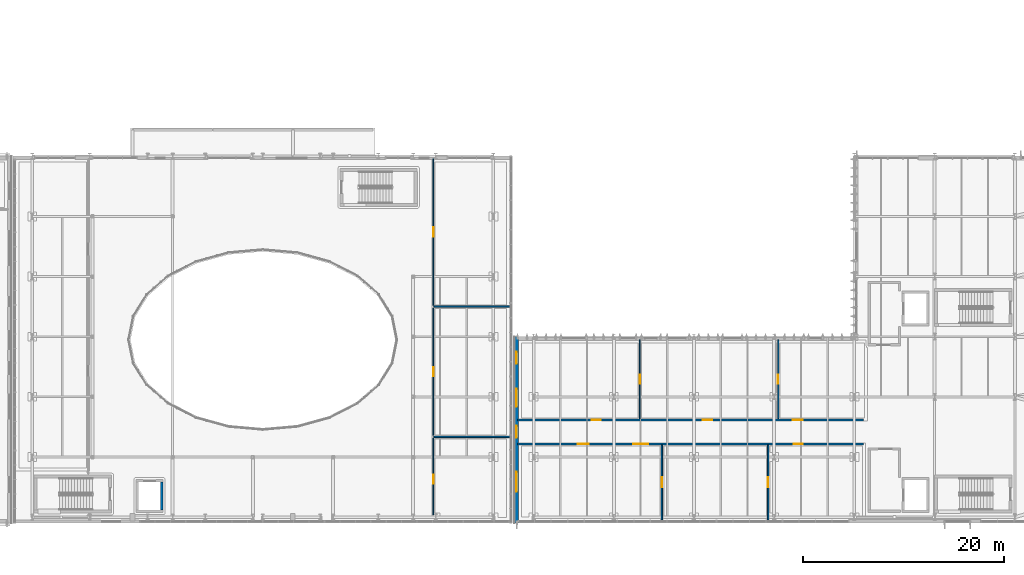
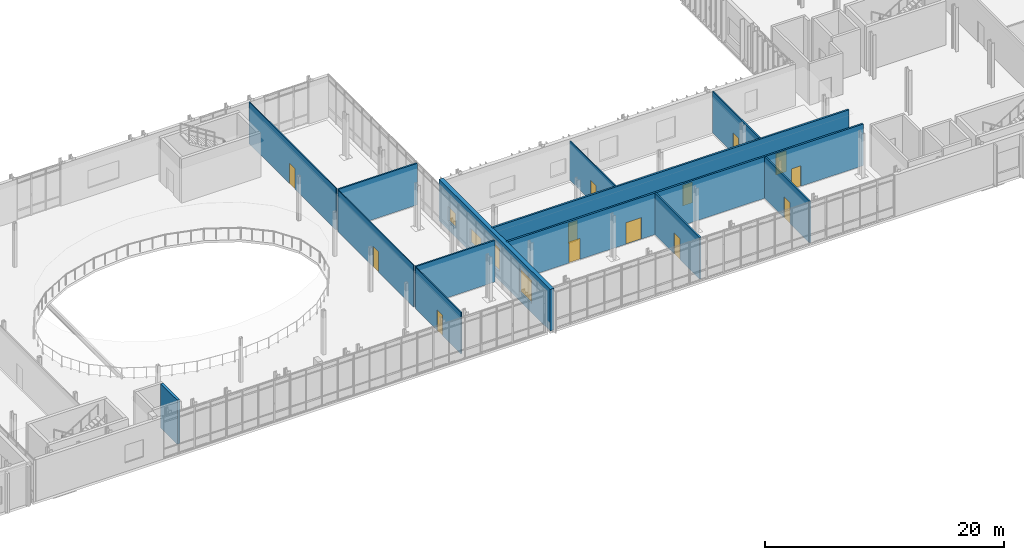
# One storey, part 68 of 100: 13 doors, 13 walls, 4 windows, 17 openings.
"""IFC4 building model written with IfcOpenShell, lengths in metres."""

from ifc_helpers import new_model, si_unit, direction, frame, frame_2d, origin, place, context, subcontext, project, spatial, rectangle, extrude, material, layer, layer_set, type_object, element, fill, save


model = new_model("IFC4")

# Units and contexts
model_context = context("Model", 3, precision=1e-05, world=origin(), true_north=direction((0.0, 1.0)))
body_context = subcontext(model_context, "Body", "Model", "MODEL_VIEW")
ifc_project = project(units=[si_unit("LENGTHUNIT", "METRE"), si_unit("AREAUNIT", "SQUARE_METRE"), si_unit("VOLUMEUNIT", "CUBIC_METRE"), si_unit("PLANEANGLEUNIT", "RADIAN"), si_unit("MASSUNIT", "GRAM", prefix="KILO")], contexts=[model_context])

# Site, building, storey
site_placement = place(None, origin())
site = spatial("IfcSite", under=ifc_project, at=site_placement, CompositionType="ELEMENT")
building_placement = place(site_placement, origin())
building = spatial("IfcBuilding", under=site, at=building_placement, Name="Cymarion Research Institute", CompositionType="ELEMENT")
storey_placement = place(building_placement, frame((0.0, 0.0, 4.800048828125)))
storey = spatial("IfcBuildingStorey", under=building, at=storey_placement, Name="L01", CompositionType="ELEMENT", Elevation=4.800048828125)

# Wall, openings, windows
ifc_material_1 = material(Name="Precast concrete C40/50", Category="concrete")
ifc_layer_1 = layer(ifc_material_1, 0.3798828125)
ifc_layer_set_1 = layer_set([ifc_layer_1], Name="Precast concrete C40/50")
wall_type_1 = type_object("IfcWallType", Name="EXTERIOR WALL EW-PC380 380MM", PredefinedType="SOLIDWALL", material=ifc_layer_set_1)
wall_1_placement = place(storey_placement, frame((104.889892578125, 23.5, 0.0), z_axis=(0.0, 0.0, 1.0), x_axis=(0.0, -1.0, 0.0)))
wall_1 = element("IfcWall", 1, at=wall_1_placement, inside=storey, type_object=wall_type_1, Name="L01 V1 exterior wall EW-PC380 #94", PredefinedType="SOLIDWALL", context=body_context, shape_type="SweptSolid", body=[
    extrude(rectangle(XDim=18.60009765625, YDim=0.3798828125, at=frame_2d((9.300048828125, 0.0))), origin(), (0.0, 0.0, 1.0), 4.25),
])
opening_1_placement = place(wall_1_placement, frame((1.510009765625, 0.0, 0.89990234375)))
opening_1 = element("IfcOpeningElement", 2, at=opening_1_placement, cuts=wall_1, Name="Opening W15", PredefinedType="OPENING", context=body_context, shape_type="SweptSolid", body=[
    extrude(rectangle(XDim=1.199951171875, YDim=1.5, at=frame_2d((0.60009765625, 0.75))), frame((0.0, 0.199951171875, 0.0), z_axis=(0.0, -1.0, 0.0), x_axis=(1.0, 0.0, 0.0)), (0.0, 0.0, 1.0), 0.39990234375),
])
opening_2_placement = place(wall_1_placement, frame((5.18994140625, 0.0, 0.89990234375)))
opening_2 = element("IfcOpeningElement", 3, at=opening_2_placement, cuts=wall_1, Name="Opening W17", PredefinedType="OPENING", context=body_context, shape_type="SweptSolid", body=[
    extrude(rectangle(XDim=1.800048828125, YDim=1.5, at=frame_2d((0.89990234375, 0.75))), frame((0.0, 0.199951171875, 0.0), z_axis=(0.0, -1.0, 0.0), x_axis=(1.0, 0.0, 0.0)), (0.0, 0.0, 1.0), 0.39990234375),
])
opening_3_placement = place(wall_1_placement, frame((8.89990234375, 0.0, 0.89990234375)))
opening_3 = element("IfcOpeningElement", 4, at=opening_3_placement, cuts=wall_1, Name="Opening W19", PredefinedType="OPENING", context=body_context, shape_type="SweptSolid", body=[
    extrude(rectangle(XDim=1.199951171875, YDim=2.39990234375, at=frame_2d((0.60009765625, 1.199951171875))), frame((0.0, 0.199951171875, 0.0), z_axis=(0.0, -1.0, 0.0), x_axis=(1.0, 0.0, 0.0)), (0.0, 0.0, 1.0), 0.39990234375),
])
opening_4_placement = place(wall_1_placement, frame((13.47998046875, 0.0, 0.89990234375)))
opening_4 = element("IfcOpeningElement", 5, at=opening_4_placement, cuts=wall_1, Name="Opening W21", PredefinedType="OPENING", context=body_context, shape_type="SweptSolid", body=[
    extrude(rectangle(XDim=2.0, YDim=2.39990234375, at=frame_2d((1.0, 1.199951171875))), frame((0.0, 0.199951171875, 0.0), z_axis=(0.0, -1.0, 0.0), x_axis=(1.0, 0.0, 0.0)), (0.0, 0.0, 1.0), 0.39990234375),
])
ifc_material_2 = material(Name="Thermally broken aluminium window with Low-E glazing", Category="aluminium")
window_type_1 = type_object("IfcWindowType", Name="THERMALLY BROKEN ALUMINIUM WINDOW W15 1200X1500", PartitioningType="SINGLE_PANEL", PredefinedType="WINDOW", material=ifc_material_2)
window_1_placement = place(opening_1_placement, origin())
window_1 = element("IfcWindow", 6, at=window_1_placement, inside=storey, type_object=window_type_1, Name="L01 V1 facade window W15 #167", OverallHeight=1.5, OverallWidth=1.199951171875, PartitioningType="SINGLE_PANEL", PredefinedType="WINDOW", context=body_context, shape_type="SweptSolid", body=[
    extrude(rectangle(XDim=1.199951171875, YDim=1.5, at=frame_2d((0.60009765625, 0.75))), frame((0.0, 0.030029296875, 0.0), z_axis=(0.0, -1.0, 0.0), x_axis=(1.0, 0.0, 0.0)), (0.0, 0.0, 1.0), 0.06005859375),
])
fill(opening_1, window_1)
window_type_2 = type_object("IfcWindowType", Name="THERMALLY BROKEN ALUMINIUM WINDOW W17 1800X1500", PartitioningType="DOUBLE_PANEL_HORIZONTAL", PredefinedType="WINDOW", material=ifc_material_2)
window_2_placement = place(opening_2_placement, origin())
window_2 = element("IfcWindow", 7, at=window_2_placement, inside=storey, type_object=window_type_2, Name="L01 V1 facade window W17 #168", OverallHeight=1.5, OverallWidth=1.800048828125, PartitioningType="SINGLE_PANEL", PredefinedType="WINDOW", context=body_context, shape_type="SweptSolid", body=[
    extrude(rectangle(XDim=1.800048828125, YDim=1.5, at=frame_2d((0.89990234375, 0.75))), frame((0.0, 0.030029296875, 0.0), z_axis=(0.0, -1.0, 0.0), x_axis=(1.0, 0.0, 0.0)), (0.0, 0.0, 1.0), 0.06005859375),
])
fill(opening_2, window_2)
window_type_3 = type_object("IfcWindowType", Name="THERMALLY BROKEN ALUMINIUM WINDOW W19 1200X2400", PartitioningType="SINGLE_PANEL", PredefinedType="WINDOW", material=ifc_material_2)
window_3_placement = place(opening_3_placement, origin())
window_3 = element("IfcWindow", 8, at=window_3_placement, inside=storey, type_object=window_type_3, Name="L01 V1 facade window W19 #169", OverallHeight=2.39990234375, OverallWidth=1.199951171875, PartitioningType="SINGLE_PANEL", PredefinedType="WINDOW", context=body_context, shape_type="SweptSolid", body=[
    extrude(rectangle(XDim=1.199951171875, YDim=2.39990234375, at=frame_2d((0.60009765625, 1.199951171875))), frame((0.0, 0.030029296875, 0.0), z_axis=(0.0, -1.0, 0.0), x_axis=(1.0, 0.0, 0.0)), (0.0, 0.0, 1.0), 0.06005859375),
])
fill(opening_3, window_3)
window_type_4 = type_object("IfcWindowType", Name="THERMALLY BROKEN ALUMINIUM WINDOW W21 2000X2400", PartitioningType="DOUBLE_PANEL_VERTICAL", PredefinedType="WINDOW", material=ifc_material_2)
window_4_placement = place(opening_4_placement, origin())
window_4 = element("IfcWindow", 9, at=window_4_placement, inside=storey, type_object=window_type_4, Name="L01 V1 facade window W21 #170", OverallHeight=2.39990234375, OverallWidth=2.0, PartitioningType="SINGLE_PANEL", PredefinedType="WINDOW", context=body_context, shape_type="SweptSolid", body=[
    extrude(rectangle(XDim=2.0, YDim=2.39990234375, at=frame_2d((1.0, 1.199951171875))), frame((0.0, 0.030029296875, 0.0), z_axis=(0.0, -1.0, 0.0), x_axis=(1.0, 0.0, 0.0)), (0.0, 0.0, 1.0), 0.06005859375),
])
fill(opening_4, window_4)

# Wall, opening, door
ifc_material_3 = material(Name="Gypsum acoustic double-stud partition", Category="gypsum")
ifc_layer_2 = layer(ifc_material_3, 0.14990234375)
ifc_layer_set_2 = layer_set([ifc_layer_2], Name="Gypsum acoustic double-stud partition")
wall_type_2 = type_object("IfcWallType", Name="INTERIOR PARTITION IW-AC150 150MM", PredefinedType="PARTITIONING", material=ifc_layer_set_2)
wall_2_placement = place(storey_placement, frame((119.39990234375, 5.205078125, 0.0), z_axis=(0.0, 0.0, 1.0), x_axis=(0.0, 1.0, 0.0)))
wall_2 = element("IfcWall", 10, at=wall_2_placement, inside=storey, type_object=wall_type_2, Name="L01 V1 interior partition IW-AC150 #112", PredefinedType="PARTITIONING", context=body_context, shape_type="SweptSolid", body=[
    extrude(rectangle(XDim=7.514892578125, YDim=0.14990234375, at=frame_2d((3.75732421875, 0.0))), origin(), (0.0, 0.0, 1.0), 4.25),
])
opening_5_placement = place(wall_2_placement, frame((3.258056640625, 0.0, 0.0)))
opening_5 = element("IfcOpeningElement", 11, at=opening_5_placement, cuts=wall_2, Name="Opening D-L01-077", PredefinedType="OPENING", context=body_context, shape_type="SweptSolid", body=[
    extrude(rectangle(XDim=1.0, YDim=2.14990234375, at=frame_2d((0.5, 1.074951171875))), frame((0.0, 0.0849609375, 0.0), z_axis=(0.0, -1.0, 0.0), x_axis=(1.0, 0.0, 0.0)), (0.0, 0.0, 1.0), 0.169921875),
])
ifc_material_4 = material(Name="Flush acoustic timber/steel door assembly", Category="steel")
door_type_1 = type_object("IfcDoorType", Name="LABORATORY SINGLE LEAF DOOR DT-LB100 1000X2150", OperationType="NOTDEFINED", PredefinedType="DOOR", material=ifc_material_4)
door_1_placement = place(opening_5_placement, origin())
door_1 = element("IfcDoor", 12, at=door_1_placement, inside=storey, type_object=door_type_1, Name="L01 Inter-lab door D-L01-077", OperationType="SINGLE_SWING_RIGHT", OverallHeight=2.14990234375, OverallWidth=1.0, PredefinedType="DOOR", context=body_context, shape_type="SweptSolid", body=[
    extrude(rectangle(XDim=1.0, YDim=2.14990234375, at=frame_2d((0.5, 1.074951171875))), frame((0.0, 0.02490234375, 0.0), z_axis=(0.0, -1.0, 0.0), x_axis=(1.0, 0.0, 0.0)), (0.0, 0.0, 1.0), 0.050048828125),
])
fill(opening_5, door_1)

wall_3_placement = place(storey_placement, frame((130.0, 5.205078125, 0.0), z_axis=(0.0, 0.0, 1.0), x_axis=(0.0, 1.0, 0.0)))
wall_3 = element("IfcWall", 13, at=wall_3_placement, inside=storey, type_object=wall_type_2, Name="L01 V1 interior partition IW-AC150 #113", PredefinedType="PARTITIONING", context=body_context, shape_type="SweptSolid", body=[
    extrude(rectangle(XDim=7.514892578125, YDim=0.14990234375, at=frame_2d((3.75732421875, 0.0))), origin(), (0.0, 0.0, 1.0), 4.25),
])
opening_6_placement = place(wall_3_placement, frame((3.258056640625, 0.0, 0.0)))
opening_6 = element("IfcOpeningElement", 14, at=opening_6_placement, cuts=wall_3, Name="Opening D-L01-078", PredefinedType="OPENING", context=body_context, shape_type="SweptSolid", body=[
    extrude(rectangle(XDim=1.0, YDim=2.14990234375, at=frame_2d((0.5, 1.074951171875))), frame((0.0, 0.0849609375, 0.0), z_axis=(0.0, -1.0, 0.0), x_axis=(1.0, 0.0, 0.0)), (0.0, 0.0, 1.0), 0.169921875),
])
door_2_placement = place(opening_6_placement, origin())
door_2 = element("IfcDoor", 15, at=door_2_placement, inside=storey, type_object=door_type_1, Name="L01 Inter-lab door D-L01-078", OperationType="SINGLE_SWING_LEFT", OverallHeight=2.14990234375, OverallWidth=1.0, PredefinedType="DOOR", context=body_context, shape_type="SweptSolid", body=[
    extrude(rectangle(XDim=1.0, YDim=2.14990234375, at=frame_2d((0.5, 1.074951171875))), frame((0.0, 0.02490234375, 0.0), z_axis=(0.0, -1.0, 0.0), x_axis=(1.0, 0.0, 0.0)), (0.0, 0.0, 1.0), 0.050048828125),
])
fill(opening_6, door_2)

# Walls
for number, where, z_axis, x_axis, name in (
    (16, (96.64990234375, 13.5, 0.0), (0.0, 0.0, 1.0), (1.0, 0.0, 0.0), "L01 V2 interior partition IW-AC150 #121"),
    (17, (96.64990234375, 26.5, 0.0), (0.0, 0.0, 1.0), (1.0, 0.0, 0.0), "L01 V2 interior partition IW-AC150 #122"),
):
    element("IfcWall", number, at=place(storey_placement, frame(where, z_axis=z_axis, x_axis=x_axis)), inside=storey, type_object=wall_type_2, Name=name, PredefinedType="PARTITIONING", context=body_context, shape_type="SweptSolid", body=[
        extrude(rectangle(XDim=7.630126953125, YDim=0.14990234375, at=frame_2d((3.81494140625, 0.0))), origin(), (0.0, 0.0, 1.0), 4.25),
    ])

# Wall, opening, door
ifc_material_5 = material(Name="Framed acoustic glass laboratory screen", Category="glass")
ifc_layer_3 = layer(ifc_material_5, 0.10009765625)
ifc_layer_set_3 = layer_set([ifc_layer_3], Name="Framed acoustic glass laboratory screen")
wall_type_3 = type_object("IfcWallType", Name="INTERIOR PARTITION IW-GL100 100MM", PredefinedType="PARTITIONING", material=ifc_layer_set_3)
wall_4_placement = place(storey_placement, frame((117.199951171875, 15.320068359375, 0.0), z_axis=(0.0, 0.0, 1.0), x_axis=(0.0, 1.0, 0.0)))
wall_4 = element("IfcWall", 18, at=wall_4_placement, inside=storey, type_object=wall_type_3, Name="L01 V1 interior partition IW-GL100 #114", PredefinedType="PARTITIONING", context=body_context, shape_type="SweptSolid", body=[
    extrude(rectangle(XDim=7.875, YDim=0.10009765625, at=frame_2d((3.9375, 0.0))), origin(), (0.0, 0.0, 1.0), 4.010009765625),
])
opening_7_placement = place(wall_4_placement, frame((3.487060546875, 0.0, 0.0)))
opening_7 = element("IfcOpeningElement", 19, at=opening_7_placement, cuts=wall_4, Name="Opening D-L01-079", PredefinedType="OPENING", context=body_context, shape_type="SweptSolid", body=[
    extrude(rectangle(XDim=0.89990234375, YDim=2.10009765625, at=frame_2d((0.449951171875, 1.050048828125))), frame((0.0, 0.06005859375, 0.0), z_axis=(0.0, -1.0, 0.0), x_axis=(1.0, 0.0, 0.0)), (0.0, 0.0, 1.0), 0.1201171875),
])
door_type_2 = type_object("IfcDoorType", Name="RESEARCH WRITE-UP OFFICE DOOR DT-OF090 900X2100", OperationType="NOTDEFINED", PredefinedType="DOOR", material=ifc_material_4)
door_3_placement = place(opening_7_placement, origin())
door_3 = element("IfcDoor", 20, at=door_3_placement, inside=storey, type_object=door_type_2, Name="L01 Write-up door D-L01-079", OperationType="SINGLE_SWING_RIGHT", OverallHeight=2.10009765625, OverallWidth=0.89990234375, PredefinedType="DOOR", context=body_context, shape_type="SweptSolid", body=[
    extrude(rectangle(XDim=0.89990234375, YDim=2.10009765625, at=frame_2d((0.449951171875, 1.050048828125))), frame((0.0, 0.02490234375, 0.0), z_axis=(0.0, -1.0, 0.0), x_axis=(1.0, 0.0, 0.0)), (0.0, 0.0, 1.0), 0.050048828125),
])
fill(opening_7, door_3)

wall_5_placement = place(storey_placement, frame((96.60009765625, 5.75, 0.0), z_axis=(0.0, 0.0, 1.0), x_axis=(0.0, 1.0, 0.0)))
wall_5 = element("IfcWall", 21, at=wall_5_placement, inside=storey, type_object=wall_type_3, Name="L01 V2 interior partition IW-GL100 #123", PredefinedType="PARTITIONING", context=body_context, shape_type="SweptSolid", body=[
    extrude(rectangle(XDim=7.60009765625, YDim=0.10009765625, at=frame_2d((3.800048828125, 0.0))), origin(), (0.0, 0.0, 1.0), 4.25),
])
opening_8_placement = place(wall_5_placement, frame((3.072021484375, 0.0, 0.0)))
opening_8 = element("IfcOpeningElement", 22, at=opening_8_placement, cuts=wall_5, Name="Opening D-L01-086", PredefinedType="OPENING", context=body_context, shape_type="SweptSolid", body=[
    extrude(rectangle(XDim=0.89990234375, YDim=2.10009765625, at=frame_2d((0.449951171875, 1.050048828125))), frame((0.0, 0.06005859375, 0.0), z_axis=(0.0, -1.0, 0.0), x_axis=(1.0, 0.0, 0.0)), (0.0, 0.0, 1.0), 0.1201171875),
])
door_type_3 = type_object("IfcDoorType", Name="ACCESSIBLE RESTROOM DOOR DT-WC090 900X2100", OperationType="NOTDEFINED", PredefinedType="DOOR", material=ifc_material_4)
door_4_placement = place(opening_8_placement, origin())
door_4 = element("IfcDoor", 23, at=door_4_placement, inside=storey, type_object=door_type_3, Name="L01 Public Restroom door D-L01-086", OperationType="SINGLE_SWING_LEFT", OverallHeight=2.10009765625, OverallWidth=0.89990234375, PredefinedType="DOOR", context=body_context, shape_type="SweptSolid", body=[
    extrude(rectangle(XDim=0.89990234375, YDim=2.10009765625, at=frame_2d((0.449951171875, 1.050048828125))), frame((0.0, 0.02490234375, 0.0), z_axis=(0.0, -1.0, 0.0), x_axis=(1.0, 0.0, 0.0)), (0.0, 0.0, 1.0), 0.050048828125),
])
fill(opening_8, door_4)

wall_6_placement = place(storey_placement, frame((96.60009765625, 13.64990234375, 0.0), z_axis=(0.0, 0.0, 1.0), x_axis=(0.0, 1.0, 0.0)))
wall_6 = element("IfcWall", 24, at=wall_6_placement, inside=storey, type_object=wall_type_3, Name="L01 V2 interior partition IW-GL100 #124", PredefinedType="PARTITIONING", context=body_context, shape_type="SweptSolid", body=[
    extrude(rectangle(XDim=12.7001953125, YDim=0.10009765625, at=frame_2d((6.35009765625, 0.0))), origin(), (0.0, 0.0, 1.0), 4.25),
])
opening_9_placement = place(wall_6_placement, frame((5.89990234375, 0.0, 0.0)))
opening_9 = element("IfcOpeningElement", 25, at=opening_9_placement, cuts=wall_6, Name="Opening D-L01-087", PredefinedType="OPENING", context=body_context, shape_type="SweptSolid", body=[
    extrude(rectangle(XDim=0.89990234375, YDim=2.10009765625, at=frame_2d((0.449951171875, 1.050048828125))), frame((0.0, 0.06005859375, 0.0), z_axis=(0.0, -1.0, 0.0), x_axis=(1.0, 0.0, 0.0)), (0.0, 0.0, 1.0), 0.1201171875),
])
door_5_placement = place(opening_9_placement, origin())
door_5 = element("IfcDoor", 26, at=door_5_placement, inside=storey, type_object=door_type_2, Name="L01 Seminar door D-L01-087", OperationType="SINGLE_SWING_RIGHT", OverallHeight=2.10009765625, OverallWidth=0.89990234375, PredefinedType="DOOR", context=body_context, shape_type="SweptSolid", body=[
    extrude(rectangle(XDim=0.89990234375, YDim=2.10009765625, at=frame_2d((0.449951171875, 1.050048828125))), frame((0.0, 0.02490234375, 0.0), z_axis=(0.0, -1.0, 0.0), x_axis=(1.0, 0.0, 0.0)), (0.0, 0.0, 1.0), 0.050048828125),
])
fill(opening_9, door_5)

wall_7_placement = place(storey_placement, frame((96.60009765625, 26.64990234375, 0.0), z_axis=(0.0, 0.0, 1.0), x_axis=(0.0, 1.0, 0.0)))
wall_7 = element("IfcWall", 27, at=wall_7_placement, inside=storey, type_object=wall_type_3, Name="L01 V2 interior partition IW-GL100 #125", PredefinedType="PARTITIONING", context=body_context, shape_type="SweptSolid", body=[
    extrude(rectangle(XDim=14.60009765625, YDim=0.10009765625, at=frame_2d((7.300048828125, 0.0))), origin(), (0.0, 0.0, 1.0), 4.25),
])
opening_10_placement = place(wall_7_placement, frame((6.839111328125, 0.0, 0.0)))
opening_10 = element("IfcOpeningElement", 28, at=opening_10_placement, cuts=wall_7, Name="Opening D-L01-088", PredefinedType="OPENING", context=body_context, shape_type="SweptSolid", body=[
    extrude(rectangle(XDim=0.949951171875, YDim=2.10009765625, at=frame_2d((0.47509765625, 1.050048828125))), frame((0.0, 0.06005859375, 0.0), z_axis=(0.0, -1.0, 0.0), x_axis=(1.0, 0.0, 0.0)), (0.0, 0.0, 1.0), 0.1201171875),
])
door_type_4 = type_object("IfcDoorType", Name="FACULTY STUDY DOOR DT-OF095 950X2100", OperationType="NOTDEFINED", PredefinedType="DOOR", material=ifc_material_4)
door_6_placement = place(opening_10_placement, origin())
door_6 = element("IfcDoor", 29, at=door_6_placement, inside=storey, type_object=door_type_4, Name="L01 Reading door D-L01-088", OperationType="SINGLE_SWING_LEFT", OverallHeight=2.10009765625, OverallWidth=0.949951171875, PredefinedType="DOOR", context=body_context, shape_type="SweptSolid", body=[
    extrude(rectangle(XDim=0.949951171875, YDim=2.10009765625, at=frame_2d((0.47509765625, 1.050048828125))), frame((0.0, 0.02490234375, 0.0), z_axis=(0.0, -1.0, 0.0), x_axis=(1.0, 0.0, 0.0)), (0.0, 0.0, 1.0), 0.050048828125),
])
fill(opening_10, door_6)

# Wall, openings, doors
ifc_material_6 = material(Name="Moisture-resistant laboratory partition", Category="gypsum")
ifc_layer_4 = layer(ifc_material_6, 0.179931640625)
ifc_layer_set_4 = layer_set([ifc_layer_4], Name="Moisture-resistant laboratory partition")
wall_type_4 = type_object("IfcWallType", Name="INTERIOR PARTITION IW-LB180 180MM", PredefinedType="PARTITIONING", material=ifc_layer_set_4)
wall_8_placement = place(storey_placement, frame((105.0048828125, 12.800048828125, 0.0), z_axis=(0.0, 0.0, 1.0), x_axis=(1.0, 0.0, 0.0)))
wall_8 = element("IfcWall", 30, at=wall_8_placement, inside=storey, type_object=wall_type_4, Name="L01 V1 interior partition IW-LB180 #110", PredefinedType="PARTITIONING", context=body_context, shape_type="SweptSolid", body=[
    extrude(rectangle(XDim=34.4951171875, YDim=0.179931640625, at=frame_2d((17.24755859375, 0.0))), origin(), (0.0, 0.0, 1.0), 4.25),
])
opening_11_placement = place(wall_8_placement, frame((6.010986328125, 0.0, 0.0)))
opening_11 = element("IfcOpeningElement", 31, at=opening_11_placement, cuts=wall_8, Name="Opening D-L01-071", PredefinedType="OPENING", context=body_context, shape_type="SweptSolid", body=[
    extrude(rectangle(XDim=1.10009765625, YDim=2.14990234375, at=frame_2d((0.550048828125, 1.074951171875))), frame((0.0, 0.099853515625, 0.0), z_axis=(0.0, -1.0, 0.0), x_axis=(1.0, 0.0, 0.0)), (0.0, 0.0, 1.0), 0.199951171875),
])
opening_12_placement = place(wall_8_placement, frame((11.548095703125, 0.0, 0.0)))
opening_12 = element("IfcOpeningElement", 32, at=opening_12_placement, cuts=wall_8, Name="Opening D-L01-072", PredefinedType="OPENING", context=body_context, shape_type="SweptSolid", body=[
    extrude(rectangle(XDim=1.5, YDim=2.199951171875, at=frame_2d((0.75, 1.10009765625))), frame((0.0, 0.099853515625, 0.0), z_axis=(0.0, -1.0, 0.0), x_axis=(1.0, 0.0, 0.0)), (0.0, 0.0, 1.0), 0.199951171875),
])
opening_13_placement = place(wall_8_placement, frame((27.548095703125, 0.0, 0.0)))
opening_13 = element("IfcOpeningElement", 33, at=opening_13_placement, cuts=wall_8, Name="Opening D-L01-073", PredefinedType="OPENING", context=body_context, shape_type="SweptSolid", body=[
    extrude(rectangle(XDim=0.89990234375, YDim=2.10009765625, at=frame_2d((0.449951171875, 1.050048828125))), frame((0.0, 0.099853515625, 0.0), z_axis=(0.0, -1.0, 0.0), x_axis=(1.0, 0.0, 0.0)), (0.0, 0.0, 1.0), 0.199951171875),
])
door_7_placement = place(opening_13_placement, origin())
door_7 = element("IfcDoor", 34, at=door_7_placement, inside=storey, type_object=door_type_3, Name="L01 Restroom door D-L01-073", OperationType="SINGLE_SWING_RIGHT", OverallHeight=2.10009765625, OverallWidth=0.89990234375, PredefinedType="DOOR", context=body_context, shape_type="SweptSolid", body=[
    extrude(rectangle(XDim=0.89990234375, YDim=2.10009765625, at=frame_2d((0.449951171875, 1.050048828125))), frame((0.0, 0.02490234375, 0.0), z_axis=(0.0, -1.0, 0.0), x_axis=(1.0, 0.0, 0.0)), (0.0, 0.0, 1.0), 0.050048828125),
])
fill(opening_13, door_7)
door_type_5 = type_object("IfcDoorType", Name="LABORATORY EQUIPMENT DOUBLE DOOR DT-LB150 1500X2200", OperationType="DOUBLE_DOOR_SINGLE_SWING", PredefinedType="DOOR", material=ifc_material_4)
door_8_placement = place(opening_12_placement, origin())
door_8 = element("IfcDoor", 35, at=door_8_placement, inside=storey, type_object=door_type_5, Name="L01 Lab S2 door D-L01-072", OperationType="DOUBLE_DOOR_SINGLE_SWING", OverallHeight=2.199951171875, OverallWidth=1.5, PredefinedType="DOOR", context=body_context, shape_type="SweptSolid", body=[
    extrude(rectangle(XDim=1.5, YDim=2.199951171875, at=frame_2d((0.75, 1.10009765625))), frame((0.0, 0.02490234375, 0.0), z_axis=(0.0, -1.0, 0.0), x_axis=(1.0, 0.0, 0.0)), (0.0, 0.0, 1.0), 0.050048828125),
])
fill(opening_12, door_8)
door_type_6 = type_object("IfcDoorType", Name="LABORATORY WIDE SINGLE DOOR DT-LB110 1100X2150", OperationType="NOTDEFINED", PredefinedType="DOOR", material=ifc_material_4)
door_9_placement = place(opening_11_placement, origin())
door_9 = element("IfcDoor", 36, at=door_9_placement, inside=storey, type_object=door_type_6, Name="L01 Lab S1 door D-L01-071", OperationType="SINGLE_SWING_RIGHT", OverallHeight=2.14990234375, OverallWidth=1.10009765625, PredefinedType="DOOR", context=body_context, shape_type="SweptSolid", body=[
    extrude(rectangle(XDim=1.10009765625, YDim=2.14990234375, at=frame_2d((0.550048828125, 1.074951171875))), frame((0.0, 0.02490234375, 0.0), z_axis=(0.0, -1.0, 0.0), x_axis=(1.0, 0.0, 0.0)), (0.0, 0.0, 1.0), 0.050048828125),
])
fill(opening_11, door_9)

wall_9_placement = place(storey_placement, frame((105.0048828125, 15.199951171875, 0.0), z_axis=(0.0, 0.0, 1.0), x_axis=(1.0, 0.0, 0.0)))
wall_9 = element("IfcWall", 37, at=wall_9_placement, inside=storey, type_object=wall_type_4, Name="L01 V1 interior partition IW-LB180 #111", PredefinedType="PARTITIONING", context=body_context, shape_type="SweptSolid", body=[
    extrude(rectangle(XDim=34.4951171875, YDim=0.179931640625, at=frame_2d((17.24755859375, 0.0))), origin(), (0.0, 0.0, 1.0), 4.25),
])
opening_14_placement = place(wall_9_placement, frame((7.39111328125, 0.0, 0.0)))
opening_14 = element("IfcOpeningElement", 38, at=opening_14_placement, cuts=wall_9, Name="Opening D-L01-074", PredefinedType="OPENING", context=body_context, shape_type="SweptSolid", body=[
    extrude(rectangle(XDim=0.89990234375, YDim=2.10009765625, at=frame_2d((0.449951171875, 1.050048828125))), frame((0.0, 0.099853515625, 0.0), z_axis=(0.0, -1.0, 0.0), x_axis=(1.0, 0.0, 0.0)), (0.0, 0.0, 1.0), 0.199951171875),
])
opening_15_placement = place(wall_9_placement, frame((18.449951171875, 0.0, 0.0)))
opening_15 = element("IfcOpeningElement", 39, at=opening_15_placement, cuts=wall_9, Name="Opening D-L01-075", PredefinedType="OPENING", context=body_context, shape_type="SweptSolid", body=[
    extrude(rectangle(XDim=0.949951171875, YDim=2.10009765625, at=frame_2d((0.47509765625, 1.050048828125))), frame((0.0, 0.099853515625, 0.0), z_axis=(0.0, -1.0, 0.0), x_axis=(1.0, 0.0, 0.0)), (0.0, 0.0, 1.0), 0.199951171875),
])
opening_16_placement = place(wall_9_placement, frame((27.466064453125, 0.0, 0.0)))
opening_16 = element("IfcOpeningElement", 40, at=opening_16_placement, cuts=wall_9, Name="Opening D-L01-076", PredefinedType="OPENING", context=body_context, shape_type="SweptSolid", body=[
    extrude(rectangle(XDim=1.0, YDim=2.14990234375, at=frame_2d((0.5, 1.074951171875))), frame((0.0, 0.099853515625, 0.0), z_axis=(0.0, -1.0, 0.0), x_axis=(1.0, 0.0, 0.0)), (0.0, 0.0, 1.0), 0.199951171875),
])
door_10_placement = place(opening_15_placement, origin())
door_10 = element("IfcDoor", 41, at=door_10_placement, inside=storey, type_object=door_type_4, Name="L01 Write-up 2 door D-L01-075", OperationType="SINGLE_SWING_RIGHT", OverallHeight=2.10009765625, OverallWidth=0.949951171875, PredefinedType="DOOR", context=body_context, shape_type="SweptSolid", body=[
    extrude(rectangle(XDim=0.949951171875, YDim=2.10009765625, at=frame_2d((0.47509765625, 1.050048828125))), frame((0.0, 0.02490234375, 0.0), z_axis=(0.0, -1.0, 0.0), x_axis=(1.0, 0.0, 0.0)), (0.0, 0.0, 1.0), 0.050048828125),
])
fill(opening_15, door_10)
door_11_placement = place(opening_16_placement, origin())
door_11 = element("IfcDoor", 42, at=door_11_placement, inside=storey, type_object=door_type_1, Name="L01 Prep Room door D-L01-076", OperationType="SINGLE_SWING_LEFT", OverallHeight=2.14990234375, OverallWidth=1.0, PredefinedType="DOOR", context=body_context, shape_type="SweptSolid", body=[
    extrude(rectangle(XDim=1.0, YDim=2.14990234375, at=frame_2d((0.5, 1.074951171875))), frame((0.0, 0.02490234375, 0.0), z_axis=(0.0, -1.0, 0.0), x_axis=(1.0, 0.0, 0.0)), (0.0, 0.0, 1.0), 0.050048828125),
])
fill(opening_16, door_11)
door_12_placement = place(opening_14_placement, origin())
door_12 = element("IfcDoor", 43, at=door_12_placement, inside=storey, type_object=door_type_2, Name="L01 Write-up 1 door D-L01-074", OperationType="SINGLE_SWING_LEFT", OverallHeight=2.10009765625, OverallWidth=0.89990234375, PredefinedType="DOOR", context=body_context, shape_type="SweptSolid", body=[
    extrude(rectangle(XDim=0.89990234375, YDim=2.10009765625, at=frame_2d((0.449951171875, 1.050048828125))), frame((0.0, 0.02490234375, 0.0), z_axis=(0.0, -1.0, 0.0), x_axis=(1.0, 0.0, 0.0)), (0.0, 0.0, 1.0), 0.050048828125),
])
fill(opening_14, door_12)

# Wall, opening, door
ifc_material_7 = material(Name="Service riser shaft wall", Category="gypsum")
ifc_layer_5 = layer(ifc_material_7, 0.1201171875)
ifc_layer_set_5 = layer_set([ifc_layer_5], Name="Service riser shaft wall")
wall_type_5 = type_object("IfcWallType", Name="INTERIOR PARTITION IW-SH120 120MM", PredefinedType="PARTITIONING", material=ifc_layer_set_5)
wall_10_placement = place(storey_placement, frame((131.0, 15.320068359375, 0.0), z_axis=(0.0, 0.0, 1.0), x_axis=(0.0, 1.0, 0.0)))
wall_10 = element("IfcWall", 44, at=wall_10_placement, inside=storey, type_object=wall_type_5, Name="L01 V1 interior partition IW-SH120 #115", PredefinedType="PARTITIONING", context=body_context, shape_type="SweptSolid", body=[
    extrude(rectangle(XDim=7.875, YDim=0.1201171875, at=frame_2d((3.9375, 0.0))), origin(), (0.0, 0.0, 1.0), 4.25),
])
opening_17_placement = place(wall_10_placement, frame((3.487060546875, 0.0, 0.0)))
opening_17 = element("IfcOpeningElement", 45, at=opening_17_placement, cuts=wall_10, Name="Opening D-L01-080", PredefinedType="OPENING", context=body_context, shape_type="SweptSolid", body=[
    extrude(rectangle(XDim=0.89990234375, YDim=2.10009765625, at=frame_2d((0.449951171875, 1.050048828125))), frame((0.0, 0.070068359375, 0.0), z_axis=(0.0, -1.0, 0.0), x_axis=(1.0, 0.0, 0.0)), (0.0, 0.0, 1.0), 0.14013671875),
])
door_13_placement = place(opening_17_placement, origin())
door_13 = element("IfcDoor", 46, at=door_13_placement, inside=storey, type_object=door_type_2, Name="L01 Seminar door D-L01-080", OperationType="SINGLE_SWING_LEFT", OverallHeight=2.10009765625, OverallWidth=0.89990234375, PredefinedType="DOOR", context=body_context, shape_type="SweptSolid", body=[
    extrude(rectangle(XDim=0.89990234375, YDim=2.10009765625, at=frame_2d((0.449951171875, 1.050048828125))), frame((0.0, 0.02490234375, 0.0), z_axis=(0.0, -1.0, 0.0), x_axis=(1.0, 0.0, 0.0)), (0.0, 0.0, 1.0), 0.050048828125),
])
fill(opening_17, door_13)

# Wall
ifc_material_8 = material(Name="Concrete C40/50", Category="concrete")
ifc_layer_6 = layer(ifc_material_8, 0.25)
ifc_layer_set_6 = layer_set([ifc_layer_6], Name="Concrete C40/50")
wall_type_6 = type_object("IfcWallType", Name="REINFORCED CONCRETE CORE WALL CW-SH250 250MM", PredefinedType="SHEAR", material=ifc_layer_set_6)
wall_11_placement = place(storey_placement, frame((69.52490234375, 6.199951171875, 0.0), z_axis=(0.0, 0.0, 1.0), x_axis=(0.0, 1.0, 0.0)))
element("IfcWall", 47, at=wall_11_placement, inside=storey, type_object=wall_type_6, Name="L01 LSH-LP2-L01 east core wall", PredefinedType="SHEAR", context=body_context, shape_type="SweptSolid", body=[
    extrude(rectangle(XDim=2.800048828125, YDim=0.25, at=frame_2d((1.39990234375, 0.0))), origin(), (0.0, 0.0, 1.0), 4.5),
])

save(model, "model.ifc")
